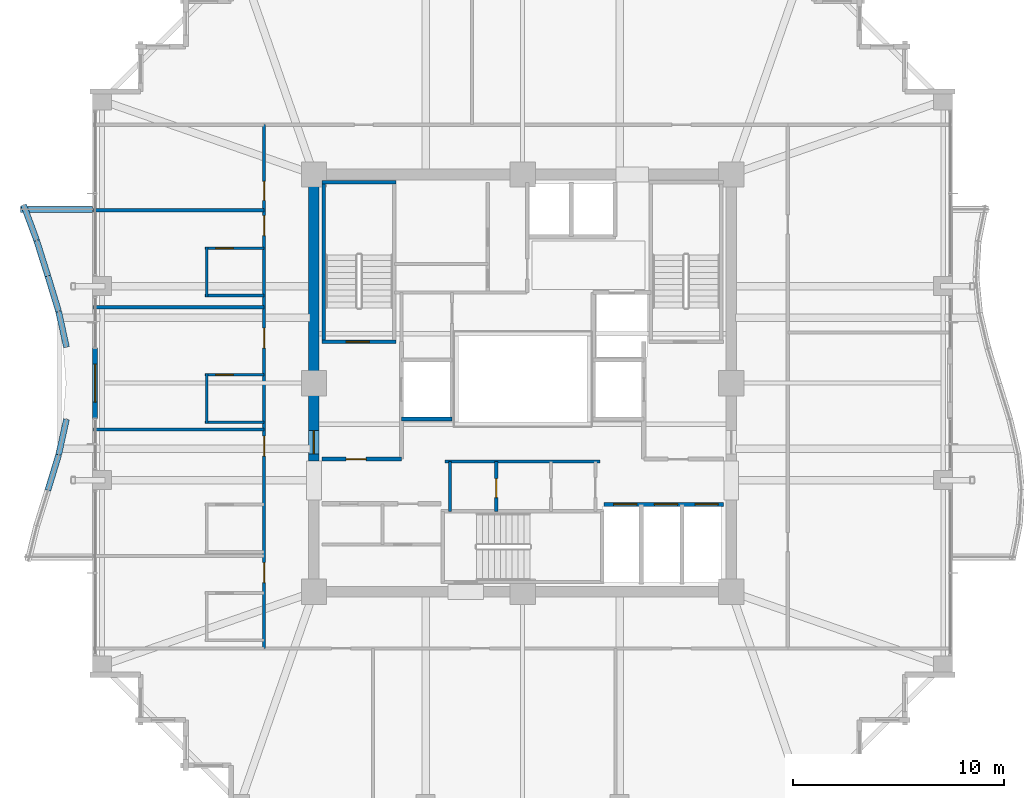
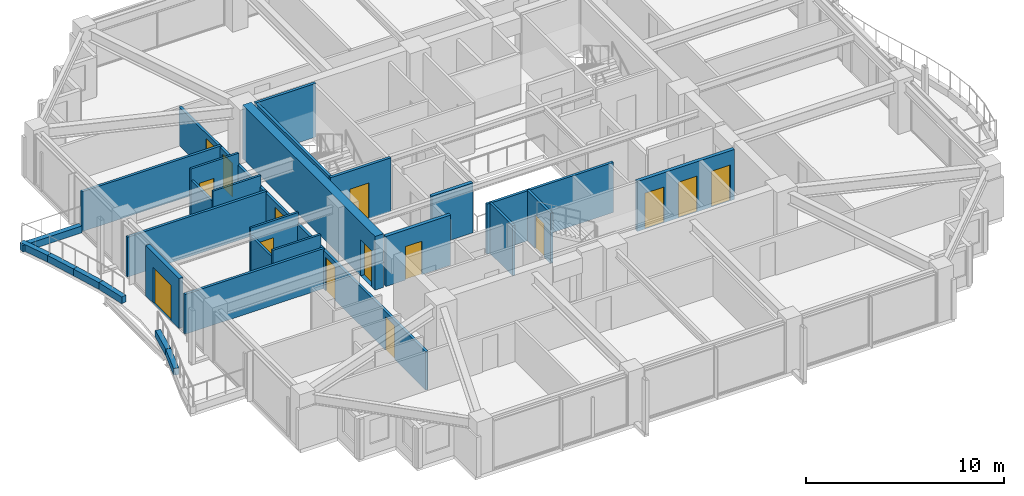
# One storey, part 30 of 35: 28 walls, 15 doors, 15 openings.
"""IFC4 building model written with IfcOpenShell, lengths in metres."""

from ifc_helpers import new_model, si_unit, direction, frame, frame_2d, origin, place, context, subcontext, project, spatial, rectangle, extrude, material, layer, layer_set, type_object, element, fill, save


model = new_model("IFC4")

# Units and contexts
model_context = context("Model", 3, precision=1e-05, world=origin(), true_north=direction((0.0, 1.0)))
body_context = subcontext(model_context, "Body", "Model", "MODEL_VIEW")
ifc_project = project(units=[si_unit("LENGTHUNIT", "METRE"), si_unit("AREAUNIT", "SQUARE_METRE"), si_unit("VOLUMEUNIT", "CUBIC_METRE"), si_unit("PLANEANGLEUNIT", "RADIAN"), si_unit("MASSUNIT", "GRAM", prefix="KILO")], contexts=[model_context])

# Site, building, storey
site_placement = place(None, origin())
site = spatial("IfcSite", under=ifc_project, at=site_placement, CompositionType="ELEMENT")
building_placement = place(site_placement, origin())
building = spatial("IfcBuilding", under=site, at=building_placement, Name="Kolvaren Belvedere", CompositionType="ELEMENT")
storey_placement = place(building_placement, frame((0.0, 0.0, 183.300048828125)))
storey = spatial("IfcBuildingStorey", under=building, at=storey_placement, Name="L53", CompositionType="ELEMENT", Elevation=183.300048828125)

# Wall, opening, door
ifc_material_1 = material(Name="Concrete C50/60", Category="concrete")
ifc_layer_1 = layer(ifc_material_1, 0.5)
ifc_layer_set_1 = layer_set([ifc_layer_1], Name="Concrete C50/60")
wall_type_1 = type_object("IfcWallType", Name="CW-CORE-500", PredefinedType="SHEAR", material=ifc_layer_set_1)
wall_1_placement = place(storey_placement, frame((-9.89990234375, -3.699951171875, 0.0), z_axis=(0.0, 0.0, 1.0), x_axis=(0.0, 1.0, 0.0)))
wall_1 = element("IfcWall", 1, at=wall_1_placement, inside=storey, type_object=wall_type_1, Name="L53 West Core Shear Wall 2", PredefinedType="SHEAR", context=body_context, shape_type="SweptSolid", body=[
    extrude(rectangle(XDim=13.349853515625, YDim=0.5, at=frame_2d((6.6748046875, 0.0))), origin(), (0.0, 0.0, 1.0), 3.300048828125),
])
opening_1_placement = place(wall_1_placement, frame((0.35009765625, 0.0, 0.0)))
opening_1 = element("IfcOpeningElement", 2, at=opening_1_placement, cuts=wall_1, Name="Opening D-FD90", PredefinedType="OPENING", context=body_context, shape_type="SweptSolid", body=[
    extrude(rectangle(XDim=1.10009765625, YDim=2.199951171875, at=frame_2d((0.550048828125, 1.10009765625))), frame((0.0, 0.260009765625, 0.0), z_axis=(0.0, -1.0, 0.0), x_axis=(1.0, 0.0, 0.0)), (0.0, 0.0, 1.0), 0.52001953125),
])
ifc_material_2 = material(Name="Painted hollow stainless steel", Category="steel")
door_type_1 = type_object("IfcDoorType", Name="DR-FD90-1100", OperationType="NOTDEFINED", PredefinedType="DOOR", material=ifc_material_2)
door_1_placement = place(opening_1_placement, origin())
door_1 = element("IfcDoor", 3, at=door_1_placement, inside=storey, type_object=door_type_1, Name="L53 West Firefighting Lobby Fire Door", OperationType="SINGLE_SWING_LEFT", OverallHeight=2.199951171875, OverallWidth=1.10009765625, PredefinedType="DOOR", context=body_context, shape_type="SweptSolid", body=[
    extrude(rectangle(XDim=1.10009765625, YDim=2.199951171875, at=frame_2d((0.550048828125, 1.10009765625))), frame((0.0, 0.02490234375, 0.0), z_axis=(0.0, -1.0, 0.0), x_axis=(1.0, 0.0, 0.0)), (0.0, 0.0, 1.0), 0.050048828125),
])
fill(opening_1, door_1)

ifc_material_3 = material(Name="Concrete C50/60", Category="concrete")
ifc_layer_2 = layer(ifc_material_3, 0.159912109375)
ifc_layer_set_2 = layer_set([ifc_layer_2], Name="Concrete C50/60")
wall_type_2 = type_object("IfcWallType", Name="CW-STAIR-160", PredefinedType="SHEAR", material=ifc_layer_set_2)
wall_2_placement = place(storey_placement, frame((-9.52001953125, 1.969970703125, 0.0), z_axis=(0.0, 0.0, 1.0), x_axis=(1.0, 0.0, 0.0)))
wall_2 = element("IfcWall", 4, at=wall_2_placement, inside=storey, type_object=wall_type_2, Name="L53 Stair ST-1 South Shear Wall", PredefinedType="SHEAR", context=body_context, shape_type="SweptSolid", body=[
    extrude(rectangle(XDim=3.52001953125, YDim=0.159912109375, at=frame_2d((1.760009765625, 0.0))), origin(), (0.0, 0.0, 1.0), 3.300048828125),
])
opening_2_placement = place(wall_2_placement, frame((1.14990234375, 0.0, 0.0)))
opening_2 = element("IfcOpeningElement", 5, at=opening_2_placement, cuts=wall_2, Name="Opening D-FD90", PredefinedType="OPENING", context=body_context, shape_type="SweptSolid", body=[
    extrude(rectangle(XDim=1.10009765625, YDim=2.199951171875, at=frame_2d((0.550048828125, 1.10009765625))), frame((0.0, 0.08984375, 0.0), z_axis=(0.0, -1.0, 0.0), x_axis=(1.0, 0.0, 0.0)), (0.0, 0.0, 1.0), 0.179931640625),
])
door_2_placement = place(opening_2_placement, origin())
door_2 = element("IfcDoor", 6, at=door_2_placement, inside=storey, type_object=door_type_1, Name="L53 Stair ST-1 Fire Door", OperationType="SINGLE_SWING_LEFT", OverallHeight=2.199951171875, OverallWidth=1.10009765625, PredefinedType="DOOR", context=body_context, shape_type="SweptSolid", body=[
    extrude(rectangle(XDim=1.10009765625, YDim=2.199951171875, at=frame_2d((0.550048828125, 1.10009765625))), frame((0.0, 0.02490234375, 0.0), z_axis=(0.0, -1.0, 0.0), x_axis=(1.0, 0.0, 0.0)), (0.0, 0.0, 1.0), 0.050048828125),
])
fill(opening_2, door_2)

# Walls
wall_3_placement = place(storey_placement, frame((-9.52001953125, 9.530029296875, 0.0), z_axis=(0.0, 0.0, 1.0), x_axis=(1.0, 0.0, 0.0)))
element("IfcWall", 7, at=wall_3_placement, inside=storey, type_object=wall_type_2, Name="L53 Stair ST-1 North Shear Wall", PredefinedType="SHEAR", context=body_context, shape_type="SweptSolid", body=[
    extrude(rectangle(XDim=3.52001953125, YDim=0.159912109375, at=frame_2d((1.760009765625, 0.0))), origin(), (0.0, 0.0, 1.0), 3.300048828125),
])
wall_4_placement = place(storey_placement, frame((-9.429931640625, 1.969970703125, 0.0), z_axis=(0.0, 0.0, 1.0), x_axis=(0.0, 1.0, 0.0)))
element("IfcWall", 8, at=wall_4_placement, inside=storey, type_object=wall_type_2, Name="L53 Stair ST-1 West Shear Wall", PredefinedType="SHEAR", context=body_context, shape_type="SweptSolid", body=[
    extrude(rectangle(XDim=7.56005859375, YDim=0.159912109375, at=frame_2d((3.780029296875, 0.0))), origin(), (0.0, 0.0, 1.0), 3.300048828125),
])

# Wall, openings, doors
ifc_material_4 = material(Name="Gypsum fire-rated partition assembly", Category="gypsum")
ifc_layer_3 = layer(ifc_material_4, 0.14990234375)
ifc_layer_set_3 = layer_set([ifc_layer_3], Name="Gypsum fire-rated partition assembly")
wall_type_3 = type_object("IfcWallType", Name="WL-CORR-150", PredefinedType="PARTITIONING", material=ifc_layer_set_3)
wall_5_placement = place(storey_placement, frame((-12.260009765625, -12.580078125, 0.0), z_axis=(0.0, 0.0, 1.0), x_axis=(0.0, 1.0, 0.0)))
wall_5 = element("IfcWall", 9, at=wall_5_placement, inside=storey, type_object=wall_type_3, Name="L53 West Corridor Wall", PredefinedType="PARTITIONING", context=body_context, shape_type="SweptSolid", body=[
    extrude(rectangle(XDim=24.840087890625, YDim=0.14990234375, at=frame_2d((12.419921875, 0.0))), origin(), (0.0, 0.0, 1.0), 2.368896484375),
])
opening_3_placement = place(wall_5_placement, frame((3.114013671875, 0.0, 0.0)))
opening_3 = element("IfcOpeningElement", 10, at=opening_3_placement, cuts=wall_5, Name="Opening D-FD60", PredefinedType="OPENING", context=body_context, shape_type="SweptSolid", body=[
    extrude(rectangle(XDim=0.949951171875, YDim=2.06005859375, at=frame_2d((0.47509765625, 1.030029296875))), frame((0.0, 0.0849609375, 0.0), z_axis=(0.0, -1.0, 0.0), x_axis=(1.0, 0.0, 0.0)), (0.0, 0.0, 1.0), 0.169921875),
])
opening_4_placement = place(wall_5_placement, frame((9.119384765625, 0.0, 0.0)))
opening_4 = element("IfcOpeningElement", 11, at=opening_4_placement, cuts=wall_5, Name="Opening D-FD60", PredefinedType="OPENING", context=body_context, shape_type="SweptSolid", body=[
    extrude(rectangle(XDim=0.949951171875, YDim=2.06005859375, at=frame_2d((0.47509765625, 1.030029296875))), frame((0.0, 0.0849609375, 0.0), z_axis=(0.0, -1.0, 0.0), x_axis=(1.0, 0.0, 0.0)), (0.0, 0.0, 1.0), 0.169921875),
])
opening_5_placement = place(wall_5_placement, frame((14.239990234375, 0.0, 0.0)))
opening_5 = element("IfcOpeningElement", 12, at=opening_5_placement, cuts=wall_5, Name="Opening D-FD60", PredefinedType="OPENING", context=body_context, shape_type="SweptSolid", body=[
    extrude(rectangle(XDim=0.949951171875, YDim=2.06005859375, at=frame_2d((0.47509765625, 1.030029296875))), frame((0.0, 0.0849609375, 0.0), z_axis=(0.0, -1.0, 0.0), x_axis=(1.0, 0.0, 0.0)), (0.0, 0.0, 1.0), 0.169921875),
])
opening_6_placement = place(wall_5_placement, frame((19.573974609375, 0.0, 0.0)))
opening_6 = element("IfcOpeningElement", 13, at=opening_6_placement, cuts=wall_5, Name="Opening D-FD60", PredefinedType="OPENING", context=body_context, shape_type="SweptSolid", body=[
    extrude(rectangle(XDim=0.949951171875, YDim=2.06005859375, at=frame_2d((0.47509765625, 1.030029296875))), frame((0.0, 0.0849609375, 0.0), z_axis=(0.0, -1.0, 0.0), x_axis=(1.0, 0.0, 0.0)), (0.0, 0.0, 1.0), 0.169921875),
])
opening_7_placement = place(wall_5_placement, frame((21.25439453125, 0.0, 0.0)))
opening_7 = element("IfcOpeningElement", 14, at=opening_7_placement, cuts=wall_5, Name="Opening D-INT90", PredefinedType="OPENING", context=body_context, shape_type="SweptSolid", body=[
    extrude(rectangle(XDim=0.89990234375, YDim=2.06005859375, at=frame_2d((0.449951171875, 1.030029296875))), frame((0.0, 0.0849609375, 0.0), z_axis=(0.0, -1.0, 0.0), x_axis=(1.0, 0.0, 0.0)), (0.0, 0.0, 1.0), 0.169921875),
])
ifc_material_5 = material(Name="Acoustic white-oak fire door leaf", Category="timber")
door_type_2 = type_object("IfcDoorType", Name="DR-FD60-950", OperationType="NOTDEFINED", PredefinedType="DOOR", material=ifc_material_5)
door_3_placement = place(opening_3_placement, origin())
door_3 = element("IfcDoor", 15, at=door_3_placement, inside=storey, type_object=door_type_2, Name="L53 Botanical Hospitality Suite 5306 Entry Door", OperationType="SINGLE_SWING_LEFT", OverallHeight=2.06005859375, OverallWidth=0.949951171875, PredefinedType="DOOR", context=body_context, shape_type="SweptSolid", body=[
    extrude(rectangle(XDim=0.949951171875, YDim=2.06005859375, at=frame_2d((0.47509765625, 1.030029296875))), frame((0.0, 0.02490234375, 0.0), z_axis=(0.0, -1.0, 0.0), x_axis=(1.0, 0.0, 0.0)), (0.0, 0.0, 1.0), 0.050048828125),
])
fill(opening_3, door_3)
door_4_placement = place(opening_4_placement, origin())
door_4 = element("IfcDoor", 16, at=door_4_placement, inside=storey, type_object=door_type_2, Name="L53 King Guest Room 5307 Entry Door", OperationType="SINGLE_SWING_LEFT", OverallHeight=2.06005859375, OverallWidth=0.949951171875, PredefinedType="DOOR", context=body_context, shape_type="SweptSolid", body=[
    extrude(rectangle(XDim=0.949951171875, YDim=2.06005859375, at=frame_2d((0.47509765625, 1.030029296875))), frame((0.0, 0.02490234375, 0.0), z_axis=(0.0, -1.0, 0.0), x_axis=(1.0, 0.0, 0.0)), (0.0, 0.0, 1.0), 0.050048828125),
])
fill(opening_4, door_4)
door_5_placement = place(opening_5_placement, origin())
door_5 = element("IfcDoor", 17, at=door_5_placement, inside=storey, type_object=door_type_2, Name="L53 King Guest Room 5308 Entry Door", OperationType="SINGLE_SWING_LEFT", OverallHeight=2.06005859375, OverallWidth=0.949951171875, PredefinedType="DOOR", context=body_context, shape_type="SweptSolid", body=[
    extrude(rectangle(XDim=0.949951171875, YDim=2.06005859375, at=frame_2d((0.47509765625, 1.030029296875))), frame((0.0, 0.02490234375, 0.0), z_axis=(0.0, -1.0, 0.0), x_axis=(1.0, 0.0, 0.0)), (0.0, 0.0, 1.0), 0.050048828125),
])
fill(opening_5, door_5)
door_6_placement = place(opening_6_placement, origin())
door_6 = element("IfcDoor", 18, at=door_6_placement, inside=storey, type_object=door_type_2, Name="L53 Botanical Hospitality Suite 5309 Entry Door", OperationType="SINGLE_SWING_LEFT", OverallHeight=2.06005859375, OverallWidth=0.949951171875, PredefinedType="DOOR", context=body_context, shape_type="SweptSolid", body=[
    extrude(rectangle(XDim=0.949951171875, YDim=2.06005859375, at=frame_2d((0.47509765625, 1.030029296875))), frame((0.0, 0.02490234375, 0.0), z_axis=(0.0, -1.0, 0.0), x_axis=(1.0, 0.0, 0.0)), (0.0, 0.0, 1.0), 0.050048828125),
])
fill(opening_6, door_6)
ifc_material_6 = material(Name="Stained Pacific white oak", Category="timber")
door_type_3 = type_object("IfcDoorType", Name="DR-INT-900", OperationType="NOTDEFINED", PredefinedType="DOOR", material=ifc_material_6)
door_7_placement = place(opening_7_placement, origin())
door_7 = element("IfcDoor", 19, at=door_7_placement, inside=storey, type_object=door_type_3, Name="L53 Lounge 5310 Door", OperationType="SINGLE_SWING_RIGHT", OverallHeight=2.06005859375, OverallWidth=0.89990234375, PredefinedType="DOOR", context=body_context, shape_type="SweptSolid", body=[
    extrude(rectangle(XDim=0.89990234375, YDim=2.06005859375, at=frame_2d((0.449951171875, 1.030029296875))), frame((0.0, 0.02490234375, 0.0), z_axis=(0.0, -1.0, 0.0), x_axis=(1.0, 0.0, 0.0)), (0.0, 0.0, 1.0), 0.050048828125),
])
fill(opening_7, door_7)

# Wall, opening, door
ifc_material_7 = material(Name="Insulated pale-metal facade wall assembly", Category="aluminium")
ifc_layer_4 = layer(ifc_material_7, 0.239990234375)
ifc_layer_set_4 = layer_set([ifc_layer_4], Name="Insulated pale-metal facade wall assembly")
wall_type_4 = type_object("IfcWallType", Name="WL-EXT-240", PredefinedType="STANDARD", material=ifc_layer_set_4)
wall_6_placement = place(storey_placement, frame((-20.280029296875, -1.679931640625, 0.0), z_axis=(0.0, 0.0, 1.0), x_axis=(0.0, 1.0, 0.0)))
wall_6 = element("IfcWall", 20, at=wall_6_placement, inside=storey, type_object=wall_type_4, Name="L53 West Terrace Portal Wall", PredefinedType="STANDARD", context=body_context, shape_type="SweptSolid", body=[
    extrude(rectangle(XDim=3.35986328125, YDim=0.239990234375, at=frame_2d((1.679931640625, 0.0))), origin(), (0.0, 0.0, 1.0), 3.079833984375),
])
opening_8_placement = place(wall_6_placement, frame((0.780029296875, 0.0, 0.0)))
opening_8 = element("IfcOpeningElement", 21, at=opening_8_placement, cuts=wall_6, Name="Opening DB-1800", PredefinedType="OPENING", context=body_context, shape_type="SweptSolid", body=[
    extrude(rectangle(XDim=1.800048828125, YDim=2.199951171875, at=frame_2d((0.89990234375, 1.10009765625))), frame((0.0, 0.1298828125, 0.0), z_axis=(0.0, -1.0, 0.0), x_axis=(1.0, 0.0, 0.0)), (0.0, 0.0, 1.0), 0.260009765625),
])
ifc_material_8 = material(Name="Thermally broken pale-metal aluminium & low-iron glass", Category="aluminium")
door_type_4 = type_object("IfcDoorType", Name="DR-BAL-1800", OperationType="DOUBLE_DOOR_SLIDING", PredefinedType="DOOR", material=ifc_material_8)
door_8_placement = place(opening_8_placement, origin())
door_8 = element("IfcDoor", 22, at=door_8_placement, inside=storey, type_object=door_type_4, Name="L53 West Planted Terrace Sliding Door", OperationType="DOUBLE_DOOR_SLIDING", OverallHeight=2.199951171875, OverallWidth=1.800048828125, PredefinedType="DOOR", context=body_context, shape_type="SweptSolid", body=[
    extrude(rectangle(XDim=1.800048828125, YDim=2.199951171875, at=frame_2d((0.89990234375, 1.10009765625))), frame((0.0, 0.02490234375, 0.0), z_axis=(0.0, -1.0, 0.0), x_axis=(1.0, 0.0, 0.0)), (0.0, 0.0, 1.0), 0.050048828125),
])
fill(opening_8, door_8)

# Walls
ifc_material_9 = material(Name="Gypsum acoustic partition assembly", Category="gypsum")
ifc_layer_5 = layer(ifc_material_9, 0.14990234375)
ifc_layer_set_5 = layer_set([ifc_layer_5], Name="Gypsum acoustic partition assembly")
wall_type_5 = type_object("IfcWallType", Name="WL-PART-150", PredefinedType="PARTITIONING", material=ifc_layer_set_5)
wall_7_placement = place(storey_placement, frame((-3.679931640625, -3.719970703125, 0.0), z_axis=(0.0, 0.0, 1.0), x_axis=(1.0, 0.0, 0.0)))
element("IfcWall", 23, at=wall_7_placement, inside=storey, type_object=wall_type_5, Name="L53 South Core Service North Wall", PredefinedType="PARTITIONING", context=body_context, shape_type="SweptSolid", body=[
    extrude(rectangle(XDim=7.35986328125, YDim=0.14990234375, at=frame_2d((3.679931640625, 0.0))), origin(), (0.0, 0.0, 1.0), 3.079833984375),
])
wall_8_placement = place(storey_placement, frame((-3.449951171875, -6.080078125, 0.0), z_axis=(0.0, 0.0, 1.0), x_axis=(0.0, 1.0, 0.0)))
element("IfcWall", 24, at=wall_8_placement, inside=storey, type_object=wall_type_5, Name="L53 South Core Service West Wall", PredefinedType="PARTITIONING", context=body_context, shape_type="SweptSolid", body=[
    extrude(rectangle(XDim=2.360107421875, YDim=0.14990234375, at=frame_2d((1.18017578125, 0.0))), origin(), (0.0, 0.0, 1.0), 3.079833984375),
])

# Wall, opening, door
wall_9_placement = place(storey_placement, frame((-1.25, -6.080078125, 0.0), z_axis=(0.0, 0.0, 1.0), x_axis=(0.0, 1.0, 0.0)))
wall_9 = element("IfcWall", 25, at=wall_9_placement, inside=storey, type_object=wall_type_5, Name="L53 Core Service Divider 2", PredefinedType="PARTITIONING", context=body_context, shape_type="SweptSolid", body=[
    extrude(rectangle(XDim=2.360107421875, YDim=0.14990234375, at=frame_2d((1.18017578125, 0.0))), origin(), (0.0, 0.0, 1.0), 3.079833984375),
])
opening_9_placement = place(wall_9_placement, frame((0.64990234375, 0.0, 0.0)))
opening_9 = element("IfcOpeningElement", 26, at=opening_9_placement, cuts=wall_9, Name="Opening D-INT90", PredefinedType="OPENING", context=body_context, shape_type="SweptSolid", body=[
    extrude(rectangle(XDim=0.89990234375, YDim=2.06005859375, at=frame_2d((0.449951171875, 1.030029296875))), frame((0.0, 0.0849609375, 0.0), z_axis=(0.0, -1.0, 0.0), x_axis=(1.0, 0.0, 0.0)), (0.0, 0.0, 1.0), 0.169921875),
])
door_9_placement = place(opening_9_placement, origin())
door_9 = element("IfcDoor", 27, at=door_9_placement, inside=storey, type_object=door_type_3, Name="L53 Janitor Room Door", OperationType="SINGLE_SWING_LEFT", OverallHeight=2.06005859375, OverallWidth=0.89990234375, PredefinedType="DOOR", context=body_context, shape_type="SweptSolid", body=[
    extrude(rectangle(XDim=0.89990234375, YDim=2.06005859375, at=frame_2d((0.449951171875, 1.030029296875))), frame((0.0, 0.02490234375, 0.0), z_axis=(0.0, -1.0, 0.0), x_axis=(1.0, 0.0, 0.0)), (0.0, 0.0, 1.0), 0.050048828125),
])
fill(opening_9, door_9)

# Walls
for number, where, z_axis, x_axis, name in (
    (28, (-20.3798828125, -2.199951171875, 0.0), (0.0, 0.0, 1.0), (1.0, 0.0, 0.0), "L53 West Suite Demising Wall 2"),
    (29, (-20.3798828125, 3.60009765625, 0.0), (0.0, 0.0, 1.0), (1.0, 0.0, 0.0), "L53 West Suite Demising Wall 3"),
    (30, (-20.3798828125, 8.199951171875, 0.0), (0.0, 0.0, 1.0), (1.0, 0.0, 0.0), "L53 West Suite Demising Wall 4"),
):
    element("IfcWall", number, at=place(storey_placement, frame(where, z_axis=z_axis, x_axis=x_axis)), inside=storey, type_object=wall_type_5, Name=name, PredefinedType="PARTITIONING", context=body_context, shape_type="SweptSolid", body=[
        extrude(rectangle(XDim=8.119873046875, YDim=0.14990234375, at=frame_2d((4.06005859375, 0.0))), origin(), (0.0, 0.0, 1.0), 2.452880859375),
    ])
ifc_material_10 = material(Name="Precast concrete C40/50", Category="concrete")
ifc_layer_6 = layer(ifc_material_10, 0.300048828125)
ifc_layer_set_6 = layer_set([ifc_layer_6], Name="Precast concrete C40/50")
wall_type_6 = type_object("IfcWallType", Name="WL-PLANTER-300", PredefinedType="PARAPET", material=ifc_layer_set_6)
wall_10_placement = place(storey_placement, frame((-23.669921875, 8.455322265625, -0.0400390625), z_axis=(0.0, 0.0, 1.0), x_axis=(0.346292864983, -0.938126458246, 0.0)))
element("IfcWall", 31, at=wall_10_placement, inside=storey, type_object=wall_type_6, Name="L53 Precast Structural Planter Wall BAL-W-1", PredefinedType="PARAPET", context=body_context, shape_type="SweptSolid", body=[
    extrude(rectangle(XDim=1.790771484375, YDim=0.280029296875, at=frame_2d((0.8955078125, 0.0))), origin(), (0.0, 0.0, 1.0), 0.419921875),
])
wall_11_placement = place(storey_placement, frame((-23.047119140625, 6.767822265625, -0.0400390625), z_axis=(0.0, 0.0, 1.0), x_axis=(0.299624691176, -0.954057149461, 0.0)))
element("IfcWall", 32, at=wall_11_placement, inside=storey, type_object=wall_type_6, Name="L53 Precast Structural Planter Wall BAL-W-2", PredefinedType="PARAPET", context=body_context, shape_type="SweptSolid", body=[
    extrude(rectangle(XDim=1.7607421875, YDim=0.280029296875, at=frame_2d((0.88037109375, 0.0))), origin(), (0.0, 0.0, 1.0), 0.419921875),
])
wall_12_placement = place(storey_placement, frame((-22.51904296875, 5.086669921875, -0.0400390625), z_axis=(0.0, 0.0, 1.0), x_axis=(0.290840734999, -0.956771481005, 0.0)))
element("IfcWall", 33, at=wall_12_placement, inside=storey, type_object=wall_type_6, Name="L53 Precast Structural Planter Wall BAL-W-3", PredefinedType="PARAPET", context=body_context, shape_type="SweptSolid", body=[
    extrude(rectangle(XDim=1.756103515625, YDim=0.280029296875, at=frame_2d((0.8779296875, 0.0))), origin(), (0.0, 0.0, 1.0), 0.419921875),
])
for number, where, z_axis, x_axis, name in (
    (34, (-22.0048828125, 3.394287109375, -0.0400390625), (0.0, 0.0, 1.0), (0.213773077423, -0.976883345835, 0.0), "L53 Precast Structural Planter Wall BAL-W-4"),
    (35, (-21.63720703125, -1.714111328125, -0.0400390625), (0.0, 0.0, 1.0), (-0.213773077423, -0.976883345835, 0.0), "L53 Precast Structural Planter Wall BAL-W-7"),
):
    element("IfcWall", number, at=place(storey_placement, frame(where, z_axis=z_axis, x_axis=x_axis)), inside=storey, type_object=wall_type_6, Name=name, PredefinedType="PARAPET", context=body_context, shape_type="SweptSolid", body=[
        extrude(rectangle(XDim=1.719970703125, YDim=0.280029296875, at=frame_2d((0.85986328125, 0.0))), origin(), (0.0, 0.0, 1.0), 0.419921875),
    ])
wall_13_placement = place(storey_placement, frame((-22.00830078125, -3.406494140625, -0.0400390625), z_axis=(0.0, 0.0, 1.0), x_axis=(-0.290840734999, -0.956771481005, 0.0)))
element("IfcWall", 36, at=wall_13_placement, inside=storey, type_object=wall_type_6, Name="L53 Precast Structural Planter Wall BAL-W-8", PredefinedType="PARAPET", context=body_context, shape_type="SweptSolid", body=[
    extrude(rectangle(XDim=1.756103515625, YDim=0.280029296875, at=frame_2d((0.8779296875, 0.0))), origin(), (0.0, 0.0, 1.0), 0.419921875),
])
wall_14_placement = place(storey_placement, frame((-20.39990234375, 8.239990234375, -0.0400390625), z_axis=(0.0, 0.0, 1.0), x_axis=(-1.0, 0.0, 0.0)))
element("IfcWall", 37, at=wall_14_placement, inside=storey, type_object=wall_type_6, Name="L53 Precast Structural Planter Wall BAL-W-22", PredefinedType="PARAPET", context=body_context, shape_type="SweptSolid", body=[
    extrude(rectangle(XDim=3.420166015625, YDim=0.280029296875, at=frame_2d((1.7099609375, 0.0))), origin(), (0.0, 0.0, 1.0), 0.419921875),
])

# Wall, opening, door
ifc_material_11 = material(Name="Concrete C50/60", Category="concrete")
ifc_layer_7 = layer(ifc_material_11, 0.199951171875)
ifc_layer_set_7 = layer_set([ifc_layer_7], Name="Concrete C50/60")
wall_type_7 = type_object("IfcWallType", Name="WL-SHAFT-200", PredefinedType="SOLIDWALL", material=ifc_layer_set_7)
wall_15_placement = place(storey_placement, frame((-9.52001953125, -3.60009765625, 0.0), z_axis=(0.0, 0.0, 1.0), x_axis=(1.0, 0.0, 0.0)))
wall_15 = element("IfcWall", 38, at=wall_15_placement, inside=storey, type_object=wall_type_7, Name="L53 West FSAE Lobby South Wall", PredefinedType="SOLIDWALL", context=body_context, shape_type="SweptSolid", body=[
    extrude(rectangle(XDim=3.77001953125, YDim=0.199951171875, at=frame_2d((1.885009765625, 0.0))), origin(), (0.0, 0.0, 1.0), 3.079833984375),
])
opening_10_placement = place(wall_15_placement, frame((1.14990234375, 0.0, 0.0)))
opening_10 = element("IfcOpeningElement", 39, at=opening_10_placement, cuts=wall_15, Name="Opening D-FD60", PredefinedType="OPENING", context=body_context, shape_type="SweptSolid", body=[
    extrude(rectangle(XDim=0.949951171875, YDim=2.06005859375, at=frame_2d((0.47509765625, 1.030029296875))), frame((0.0, 0.10986328125, 0.0), z_axis=(0.0, -1.0, 0.0), x_axis=(1.0, 0.0, 0.0)), (0.0, 0.0, 1.0), 0.219970703125),
])
door_10_placement = place(opening_10_placement, origin())
door_10 = element("IfcDoor", 40, at=door_10_placement, inside=storey, type_object=door_type_2, Name="L53 SW Lobby Fire Door", OperationType="SINGLE_SWING_LEFT", OverallHeight=2.06005859375, OverallWidth=0.949951171875, PredefinedType="DOOR", context=body_context, shape_type="SweptSolid", body=[
    extrude(rectangle(XDim=0.949951171875, YDim=2.06005859375, at=frame_2d((0.47509765625, 1.030029296875))), frame((0.0, 0.02490234375, 0.0), z_axis=(0.0, -1.0, 0.0), x_axis=(1.0, 0.0, 0.0)), (0.0, 0.0, 1.0), 0.050048828125),
])
fill(opening_10, door_10)

# Wall
wall_16_placement = place(storey_placement, frame((-5.75, -1.699951171875, 0.0), z_axis=(0.0, 0.0, 1.0), x_axis=(1.0, 0.0, 0.0)))
element("IfcWall", 41, at=wall_16_placement, inside=storey, type_object=wall_type_7, Name="L53 FSAE FS1 South Wall", PredefinedType="SOLIDWALL", context=body_context, shape_type="SweptSolid", body=[
    extrude(rectangle(XDim=2.39990234375, YDim=0.199951171875, at=frame_2d((1.199951171875, 0.0))), origin(), (0.0, 0.0, 1.0), 3.079833984375),
])

# Wall, openings, doors
wall_17_placement = place(storey_placement, frame((3.860107421875, -5.75, 0.0), z_axis=(0.0, 0.0, 1.0), x_axis=(1.0, 0.0, 0.0)))
wall_17 = element("IfcWall", 42, at=wall_17_placement, inside=storey, type_object=wall_type_7, Name="L53 High-Rise Lift Bank Front Wall", PredefinedType="SOLIDWALL", context=body_context, shape_type="SweptSolid", body=[
    extrude(rectangle(XDim=5.659912109375, YDim=0.199951171875, at=frame_2d((2.830078125, 0.0))), origin(), (0.0, 0.0, 1.0), 3.079833984375),
])
opening_11_placement = place(wall_17_placement, frame((0.4599609375, 0.0, 0.0)))
opening_11 = element("IfcOpeningElement", 43, at=opening_11_placement, cuts=wall_17, Name="Opening LD-11", PredefinedType="OPENING", context=body_context, shape_type="SweptSolid", body=[
    extrude(rectangle(XDim=1.10009765625, YDim=2.199951171875, at=frame_2d((0.550048828125, 1.10009765625))), frame((0.0, 0.10986328125, 0.0), z_axis=(0.0, -1.0, 0.0), x_axis=(1.0, 0.0, 0.0)), (0.0, 0.0, 1.0), 0.219970703125),
])
opening_12_placement = place(wall_17_placement, frame((2.389892578125, 0.0, 0.0)))
opening_12 = element("IfcOpeningElement", 44, at=opening_12_placement, cuts=wall_17, Name="Opening LD-11", PredefinedType="OPENING", context=body_context, shape_type="SweptSolid", body=[
    extrude(rectangle(XDim=1.10009765625, YDim=2.199951171875, at=frame_2d((0.550048828125, 1.10009765625))), frame((0.0, 0.10986328125, 0.0), z_axis=(0.0, -1.0, 0.0), x_axis=(1.0, 0.0, 0.0)), (0.0, 0.0, 1.0), 0.219970703125),
])
opening_13_placement = place(wall_17_placement, frame((4.320068359375, 0.0, 0.0)))
opening_13 = element("IfcOpeningElement", 45, at=opening_13_placement, cuts=wall_17, Name="Opening LD-11", PredefinedType="OPENING", context=body_context, shape_type="SweptSolid", body=[
    extrude(rectangle(XDim=1.10009765625, YDim=2.199951171875, at=frame_2d((0.550048828125, 1.10009765625))), frame((0.0, 0.10986328125, 0.0), z_axis=(0.0, -1.0, 0.0), x_axis=(1.0, 0.0, 0.0)), (0.0, 0.0, 1.0), 0.219970703125),
])
ifc_material_12 = material(Name="Brushed stainless steel", Category="steel")
door_type_5 = type_object("IfcDoorType", Name="DR-LIFT-1100", OperationType="DOUBLE_DOOR_SLIDING", PredefinedType="DOOR", material=ifc_material_12)
door_11_placement = place(opening_11_placement, origin())
door_11 = element("IfcDoor", 46, at=door_11_placement, inside=storey, type_object=door_type_5, Name="L53 Passenger Lift P7 Landing Door", OperationType="DOUBLE_DOOR_SLIDING", OverallHeight=2.199951171875, OverallWidth=1.10009765625, PredefinedType="DOOR", context=body_context, shape_type="SweptSolid", body=[
    extrude(rectangle(XDim=1.10009765625, YDim=2.199951171875, at=frame_2d((0.550048828125, 1.10009765625))), frame((0.0, 0.02490234375, 0.0), z_axis=(0.0, -1.0, 0.0), x_axis=(1.0, 0.0, 0.0)), (0.0, 0.0, 1.0), 0.050048828125),
])
fill(opening_11, door_11)
door_12_placement = place(opening_12_placement, origin())
door_12 = element("IfcDoor", 47, at=door_12_placement, inside=storey, type_object=door_type_5, Name="L53 Passenger Lift P8 Landing Door", OperationType="DOUBLE_DOOR_SLIDING", OverallHeight=2.199951171875, OverallWidth=1.10009765625, PredefinedType="DOOR", context=body_context, shape_type="SweptSolid", body=[
    extrude(rectangle(XDim=1.10009765625, YDim=2.199951171875, at=frame_2d((0.550048828125, 1.10009765625))), frame((0.0, 0.02490234375, 0.0), z_axis=(0.0, -1.0, 0.0), x_axis=(1.0, 0.0, 0.0)), (0.0, 0.0, 1.0), 0.050048828125),
])
fill(opening_12, door_12)
door_13_placement = place(opening_13_placement, origin())
door_13 = element("IfcDoor", 48, at=door_13_placement, inside=storey, type_object=door_type_5, Name="L53 Passenger Lift P9 Landing Door", OperationType="DOUBLE_DOOR_SLIDING", OverallHeight=2.199951171875, OverallWidth=1.10009765625, PredefinedType="DOOR", context=body_context, shape_type="SweptSolid", body=[
    extrude(rectangle(XDim=1.10009765625, YDim=2.199951171875, at=frame_2d((0.550048828125, 1.10009765625))), frame((0.0, 0.02490234375, 0.0), z_axis=(0.0, -1.0, 0.0), x_axis=(1.0, 0.0, 0.0)), (0.0, 0.0, 1.0), 0.050048828125),
])
fill(opening_13, door_13)

# Wall, opening, door
ifc_material_13 = material(Name="Moisture-resistant gypsum partition", Category="gypsum")
ifc_layer_8 = layer(ifc_material_13, 0.125)
ifc_layer_set_8 = layer_set([ifc_layer_8], Name="Moisture-resistant gypsum partition")
wall_type_8 = type_object("IfcWallType", Name="WL-WET-125", PredefinedType="PARTITIONING", material=ifc_layer_set_8)
wall_18_placement = place(storey_placement, frame((-15.06494140625, 0.39892578125, 0.0), z_axis=(0.0, 0.0, 1.0), x_axis=(1.0, 0.0, 0.0)))
wall_18 = element("IfcWall", 49, at=wall_18_placement, inside=storey, type_object=wall_type_8, Name="L53 Bathroom Partition PW-L53-BTH-8-N", PredefinedType="PARTITIONING", context=body_context, shape_type="SweptSolid", body=[
    extrude(rectangle(XDim=2.7900390625, YDim=0.125, at=frame_2d((1.39501953125, 0.0))), origin(), (0.0, 0.0, 1.0), 3.079833984375),
])
opening_14_placement = place(wall_18_placement, frame((0.5, 0.0, 0.0)))
opening_14 = element("IfcOpeningElement", 50, at=opening_14_placement, cuts=wall_18, Name="Opening D-BTH85", PredefinedType="OPENING", context=body_context, shape_type="SweptSolid", body=[
    extrude(rectangle(XDim=0.85009765625, YDim=2.030029296875, at=frame_2d((0.425048828125, 1.01513671875))), frame((0.0, 0.072509765625, 0.0), z_axis=(0.0, -1.0, 0.0), x_axis=(1.0, 0.0, 0.0)), (0.0, 0.0, 1.0), 0.14501953125),
])
ifc_material_14 = material(Name="Moisture-sealed Pacific white oak", Category="timber")
door_type_6 = type_object("IfcDoorType", Name="DR-BATH-850", OperationType="NOTDEFINED", PredefinedType="DOOR", material=ifc_material_14)
door_14_placement = place(opening_14_placement, origin())
door_14 = element("IfcDoor", 51, at=door_14_placement, inside=storey, type_object=door_type_6, Name="L53 En-Suite Bathroom 5308 Door", OperationType="SINGLE_SWING_RIGHT", OverallHeight=2.030029296875, OverallWidth=0.85009765625, PredefinedType="DOOR", context=body_context, shape_type="SweptSolid", body=[
    extrude(rectangle(XDim=0.85009765625, YDim=2.030029296875, at=frame_2d((0.425048828125, 1.01513671875))), frame((0.0, 0.02490234375, 0.0), z_axis=(0.0, -1.0, 0.0), x_axis=(1.0, 0.0, 0.0)), (0.0, 0.0, 1.0), 0.050048828125),
])
fill(opening_14, door_14)

# Walls
wall_19_placement = place(storey_placement, frame((-14.985107421875, -1.910888671875, 0.0), z_axis=(0.0, 0.0, 1.0), x_axis=(0.0, 1.0, 0.0)))
element("IfcWall", 52, at=wall_19_placement, inside=storey, type_object=wall_type_8, Name="L53 Bathroom Partition PW-L53-BTH-8-V", PredefinedType="PARTITIONING", context=body_context, shape_type="SweptSolid", body=[
    extrude(rectangle(XDim=2.369873046875, YDim=0.125, at=frame_2d((1.18505859375, 0.0))), origin(), (0.0, 0.0, 1.0), 2.60498046875),
])
wall_20_placement = place(storey_placement, frame((-15.06494140625, -1.85107421875, 0.0), z_axis=(0.0, 0.0, 1.0), x_axis=(1.0, 0.0, 0.0)))
element("IfcWall", 53, at=wall_20_placement, inside=storey, type_object=wall_type_8, Name="L53 Bathroom Partition PW-L53-BTH-8-S", PredefinedType="PARTITIONING", context=body_context, shape_type="SweptSolid", body=[
    extrude(rectangle(XDim=2.7900390625, YDim=0.125, at=frame_2d((1.39501953125, 0.0))), origin(), (0.0, 0.0, 1.0), 3.079833984375),
])

# Wall, opening, door
wall_21_placement = place(storey_placement, frame((-15.06494140625, 6.408935546875, 0.0), z_axis=(0.0, 0.0, 1.0), x_axis=(1.0, 0.0, 0.0)))
wall_21 = element("IfcWall", 54, at=wall_21_placement, inside=storey, type_object=wall_type_8, Name="L53 Bathroom Partition PW-L53-BTH-9-N", PredefinedType="PARTITIONING", context=body_context, shape_type="SweptSolid", body=[
    extrude(rectangle(XDim=2.7900390625, YDim=0.125, at=frame_2d((1.39501953125, 0.0))), origin(), (0.0, 0.0, 1.0), 3.079833984375),
])
opening_15_placement = place(wall_21_placement, frame((0.5, 0.0, 0.0)))
opening_15 = element("IfcOpeningElement", 55, at=opening_15_placement, cuts=wall_21, Name="Opening D-BTH85", PredefinedType="OPENING", context=body_context, shape_type="SweptSolid", body=[
    extrude(rectangle(XDim=0.85009765625, YDim=2.030029296875, at=frame_2d((0.425048828125, 1.01513671875))), frame((0.0, 0.072509765625, 0.0), z_axis=(0.0, -1.0, 0.0), x_axis=(1.0, 0.0, 0.0)), (0.0, 0.0, 1.0), 0.14501953125),
])
door_15_placement = place(opening_15_placement, origin())
door_15 = element("IfcDoor", 56, at=door_15_placement, inside=storey, type_object=door_type_6, Name="L53 En-Suite Bathroom 5309 Door", OperationType="SINGLE_SWING_RIGHT", OverallHeight=2.030029296875, OverallWidth=0.85009765625, PredefinedType="DOOR", context=body_context, shape_type="SweptSolid", body=[
    extrude(rectangle(XDim=0.85009765625, YDim=2.030029296875, at=frame_2d((0.425048828125, 1.01513671875))), frame((0.0, 0.02490234375, 0.0), z_axis=(0.0, -1.0, 0.0), x_axis=(1.0, 0.0, 0.0)), (0.0, 0.0, 1.0), 0.050048828125),
])
fill(opening_15, door_15)

# Walls
wall_22_placement = place(storey_placement, frame((-14.985107421875, 4.09912109375, 0.0), z_axis=(0.0, 0.0, 1.0), x_axis=(0.0, 1.0, 0.0)))
element("IfcWall", 57, at=wall_22_placement, inside=storey, type_object=wall_type_8, Name="L53 Bathroom Partition PW-L53-BTH-9-V", PredefinedType="PARTITIONING", context=body_context, shape_type="SweptSolid", body=[
    extrude(rectangle(XDim=2.369873046875, YDim=0.125, at=frame_2d((1.18505859375, 0.0))), origin(), (0.0, 0.0, 1.0), 2.368896484375),
])
wall_23_placement = place(storey_placement, frame((-15.06494140625, 4.158935546875, 0.0), z_axis=(0.0, 0.0, 1.0), x_axis=(1.0, 0.0, 0.0)))
element("IfcWall", 58, at=wall_23_placement, inside=storey, type_object=wall_type_8, Name="L53 Bathroom Partition PW-L53-BTH-9-S", PredefinedType="PARTITIONING", context=body_context, shape_type="SweptSolid", body=[
    extrude(rectangle(XDim=2.7900390625, YDim=0.125, at=frame_2d((1.39501953125, 0.0))), origin(), (0.0, 0.0, 1.0), 3.079833984375),
])

save(model, "model.ifc")
